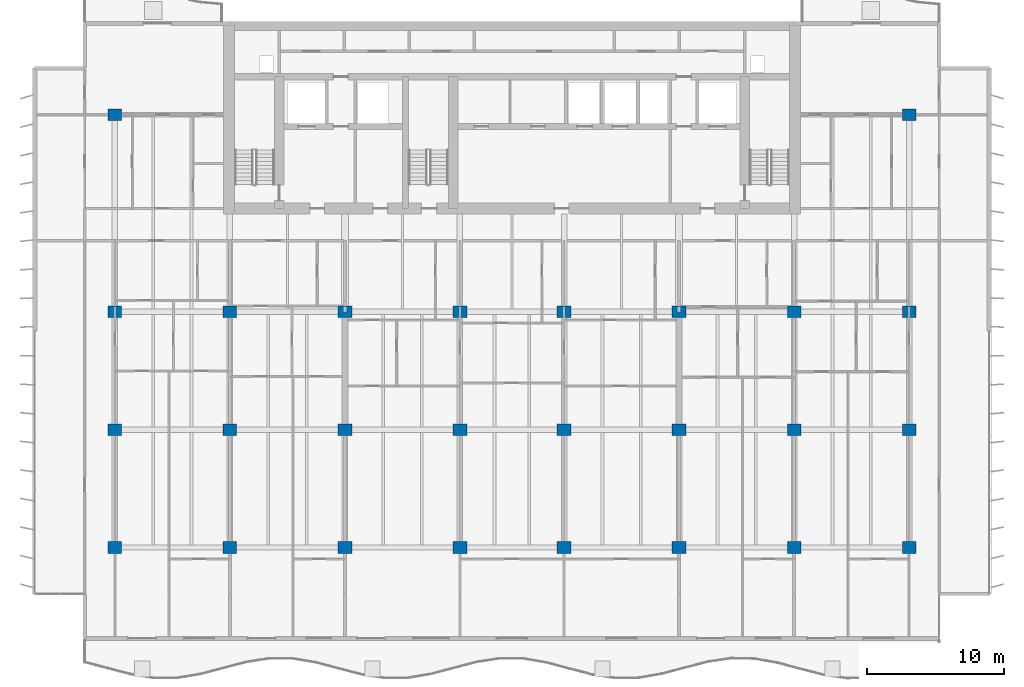
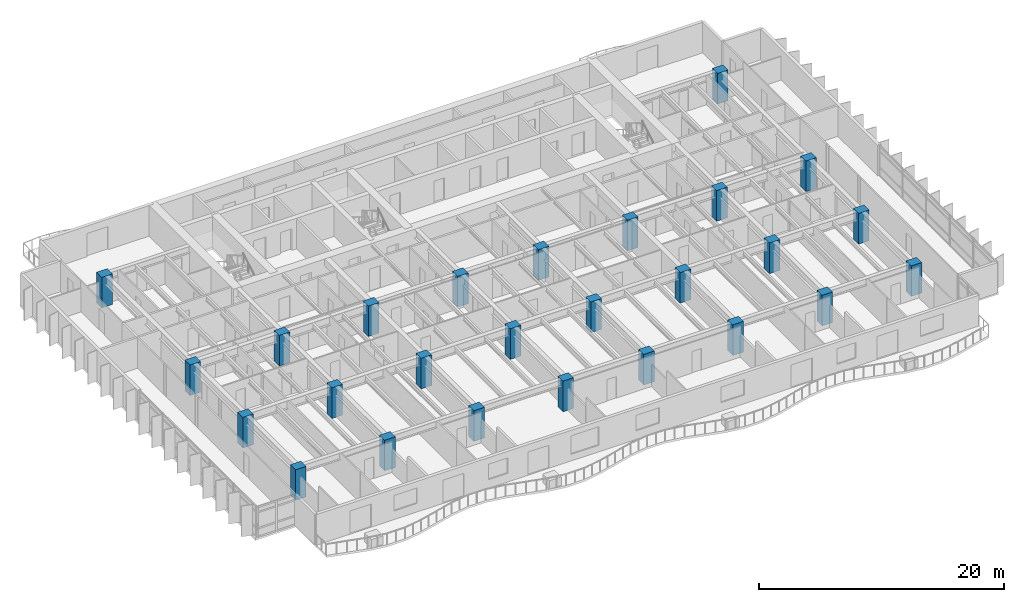
# One storey, part 1 of 17: 26 columns.
"""IFC4 building model written with IfcOpenShell, lengths in metres."""

from ifc_helpers import new_model, si_unit, direction, frame, origin, origin_2d, place, context, subcontext, project, spatial, rectangle, extrude, material, material_profile, profile_set, type_object, element, save


model = new_model("IFC4")

# Units and contexts
model_context = context("Model", 3, precision=1e-05, world=origin(), true_north=direction((0.0, 1.0)))
body_context = subcontext(model_context, "Body", "Model", "MODEL_VIEW")
ifc_project = project(units=[si_unit("LENGTHUNIT", "METRE"), si_unit("AREAUNIT", "SQUARE_METRE"), si_unit("VOLUMEUNIT", "CUBIC_METRE"), si_unit("PLANEANGLEUNIT", "RADIAN"), si_unit("MASSUNIT", "GRAM", prefix="KILO")], contexts=[model_context])

# Site, building, storey
site_placement = place(None, origin())
site = spatial("IfcSite", under=ifc_project, at=site_placement, CompositionType="ELEMENT")
building_placement = place(site_placement, origin())
building = spatial("IfcBuilding", under=site, at=building_placement, Name="Caelmar Bay Residences", CompositionType="ELEMENT")
storey_placement = place(building_placement, frame((0.0, 0.0, 105.89990234375)))
storey = spatial("IfcBuildingStorey", under=building, at=storey_placement, Name="L28", CompositionType="ELEMENT", Elevation=105.89990234375)

# Columns
ifc_material = material(Name="Concrete f'c 70 MPa (10,000 psi)", Category="concrete")
ifc_material_profile = material_profile(ifc_material, rectangle(XDim=1.0, YDim=0.85009765625, at=origin_2d()), Name="RC-COL-1000X850")
ifc_profile_set = profile_set([ifc_material_profile], Name="Concrete f'c 70 MPa (10,000 psi)")
column_type = type_object("IfcColumnType", Name="COL-RC-1000X850", PredefinedType="COLUMN", material=ifc_profile_set)
for number, where, z_axis, x_axis, name in (
    (1, (9.89990234375, 12.199951171875, 0.0), (0.0, 0.0, 1.0), (1.0, 0.0, 0.0), "L28 Column (9.90,12.20)"),
    (2, (18.300048828125, 12.199951171875, 0.0), (0.0, 0.0, 1.0), (1.0, 0.0, 0.0), "L28 Column (18.30,12.20)"),
    (3, (26.699951171875, 12.199951171875, 0.0), (0.0, 0.0, 1.0), (1.0, 0.0, 0.0), "L28 Column (26.70,12.20)"),
    (4, (35.10009765625, 12.199951171875, 0.0), (0.0, 0.0, 1.0), (1.0, 0.0, 0.0), "L28 Column (35.10,12.20)"),
    (5, (42.699951171875, 12.199951171875, 0.0), (0.0, 0.0, 1.0), (1.0, 0.0, 0.0), "L28 Column (42.70,12.20)"),
    (6, (51.10009765625, 12.199951171875, 0.0), (0.0, 0.0, 1.0), (1.0, 0.0, 0.0), "L28 Column (51.10,12.20)"),
    (7, (59.5, 12.199951171875, 0.0), (0.0, 0.0, 1.0), (1.0, 0.0, 0.0), "L28 Column (59.50,12.20)"),
    (8, (67.89990234375, 12.199951171875, 0.0), (0.0, 0.0, 1.0), (1.0, 0.0, 0.0), "L28 Column (67.90,12.20)"),
    (9, (9.89990234375, 20.800048828125, 0.0), (0.0, 0.0, 1.0), (1.0, 0.0, 0.0), "L28 Column (9.90,20.80)"),
    (10, (18.300048828125, 20.800048828125, 0.0), (0.0, 0.0, 1.0), (1.0, 0.0, 0.0), "L28 Column (18.30,20.80)"),
    (11, (26.699951171875, 20.800048828125, 0.0), (0.0, 0.0, 1.0), (1.0, 0.0, 0.0), "L28 Column (26.70,20.80)"),
    (12, (35.10009765625, 20.800048828125, 0.0), (0.0, 0.0, 1.0), (1.0, 0.0, 0.0), "L28 Column (35.10,20.80)"),
    (13, (42.699951171875, 20.800048828125, 0.0), (0.0, 0.0, 1.0), (1.0, 0.0, 0.0), "L28 Column (42.70,20.80)"),
    (14, (51.10009765625, 20.800048828125, 0.0), (0.0, 0.0, 1.0), (1.0, 0.0, 0.0), "L28 Column (51.10,20.80)"),
    (15, (59.5, 20.800048828125, 0.0), (0.0, 0.0, 1.0), (1.0, 0.0, 0.0), "L28 Column (59.50,20.80)"),
    (16, (67.89990234375, 20.800048828125, 0.0), (0.0, 0.0, 1.0), (1.0, 0.0, 0.0), "L28 Column (67.90,20.80)"),
    (17, (9.89990234375, 29.39990234375, 0.0), (0.0, 0.0, 1.0), (1.0, 0.0, 0.0), "L28 Column (9.90,29.40)"),
    (18, (18.300048828125, 29.39990234375, 0.0), (0.0, 0.0, 1.0), (1.0, 0.0, 0.0), "L28 Column (18.30,29.40)"),
    (19, (26.699951171875, 29.39990234375, 0.0), (0.0, 0.0, 1.0), (1.0, 0.0, 0.0), "L28 Column (26.70,29.40)"),
    (20, (35.10009765625, 29.39990234375, 0.0), (0.0, 0.0, 1.0), (1.0, 0.0, 0.0), "L28 Column (35.10,29.40)"),
    (21, (42.699951171875, 29.39990234375, 0.0), (0.0, 0.0, 1.0), (1.0, 0.0, 0.0), "L28 Column (42.70,29.40)"),
    (22, (51.10009765625, 29.39990234375, 0.0), (0.0, 0.0, 1.0), (1.0, 0.0, 0.0), "L28 Column (51.10,29.40)"),
    (23, (59.5, 29.39990234375, 0.0), (0.0, 0.0, 1.0), (1.0, 0.0, 0.0), "L28 Column (59.50,29.40)"),
    (24, (67.89990234375, 29.39990234375, 0.0), (0.0, 0.0, 1.0), (1.0, 0.0, 0.0), "L28 Column (67.90,29.40)"),
    (25, (9.89990234375, 43.800048828125, 0.0), (0.0, 0.0, 1.0), (1.0, 0.0, 0.0), "L28 Column (9.90,43.80)"),
    (26, (67.89990234375, 43.800048828125, 0.0), (0.0, 0.0, 1.0), (1.0, 0.0, 0.0), "L28 Column (67.90,43.80)"),
):
    element("IfcColumn", number, at=place(storey_placement, frame(where, z_axis=z_axis, x_axis=x_axis)), inside=storey, type_object=column_type, Name=name, PredefinedType="COLUMN", context=body_context, shape_type="SweptSolid", body=[
        extrude(rectangle(XDim=1.0, YDim=0.85009765625, at=origin_2d()), origin(), (0.0, 0.0, 1.0), 3.050048828125),
    ])

save(model, "model.ifc")
